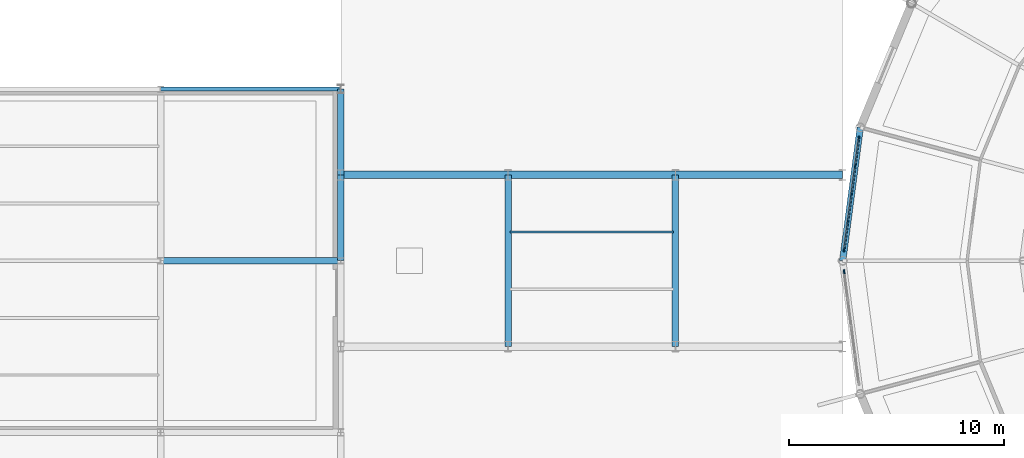
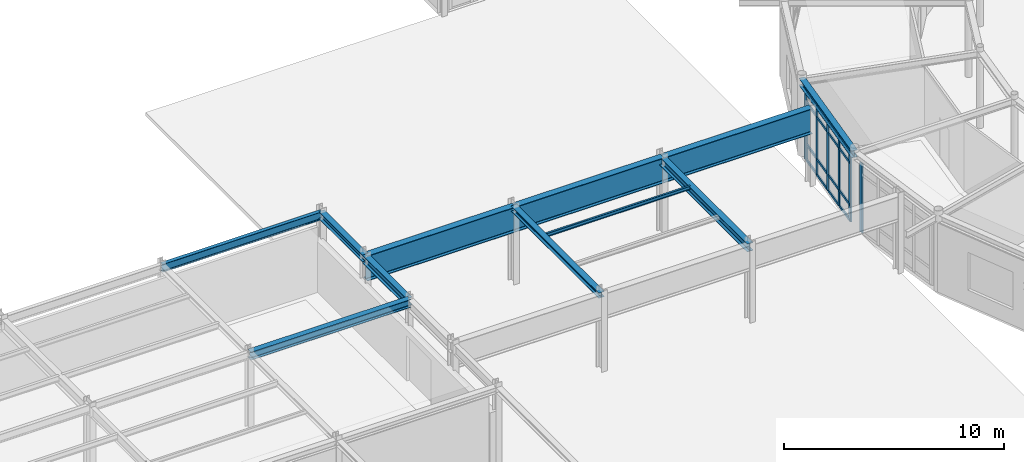
# One storey, part 40 of 101: 22 members, 11 beams, 2 elements without a shape of their own.
"""IFC4 building model written with IfcOpenShell, lengths in metres."""

from ifc_helpers import new_model, si_unit, derived_unit, direction, frame, origin, origin_2d, place, context, subcontext, project, spatial, rectangle, i_section, extrude, material, layer, layer_set, material_profile, profile_set, type_object, element, aggregate, save


model = new_model("IFC4")

# Units and contexts
model_context = context("Model", 3, precision=1e-05, world=origin(), true_north=direction((0.0, 1.0)))
body_context = subcontext(model_context, "Body", "Model", "MODEL_VIEW")
ifc_project = project(units=[si_unit("LENGTHUNIT", "METRE"), si_unit("AREAUNIT", "SQUARE_METRE"), si_unit("VOLUMEUNIT", "CUBIC_METRE"), si_unit("PLANEANGLEUNIT", "RADIAN"), si_unit("MASSUNIT", "GRAM", prefix="KILO"), derived_unit("THERMALTRANSMITTANCEUNIT", [(si_unit("POWERUNIT", "WATT"), 1), (si_unit("AREAUNIT", "SQUARE_METRE"), -1), (si_unit("THERMODYNAMICTEMPERATUREUNIT", "KELVIN"), -1)])], contexts=[model_context])

# Site, building, storey
site_placement = place(None, origin())
site = spatial("IfcSite", under=ifc_project, at=site_placement, CompositionType="ELEMENT")
building_placement = place(site_placement, origin())
building = spatial("IfcBuilding", under=site, at=building_placement, Name="Yasenodar Specialist Clinic", CompositionType="ELEMENT")
storey_placement = place(building_placement, origin())
storey = spatial("IfcBuildingStorey", under=building, at=storey_placement, Name="L00", CompositionType="ELEMENT", Elevation=0.0)

# Beams
ifc_material_1 = material(Name="Steel S355", Category="steel")
ifc_material_profile_1 = material_profile(ifc_material_1, i_section(OverallWidth=0.300048828125, OverallDepth=0.2900390625, WebThickness=0.008544921875, FlangeThickness=0.013916015625, FilletRadius=0.027099609375, at=origin_2d()), Name="HEA 300")
ifc_profile_set_1 = profile_set([ifc_material_profile_1], Name="Steel S355")
beam_type_1 = type_object("IfcBeamType", Name="BM-HEA300", PredefinedType="BEAM", material=ifc_profile_set_1)
beam_1_placement = place(storey_placement, frame((41.39990234375, 54.800048828125, 4.10498046875), z_axis=(0.0, 1.0, 0.0), x_axis=(-1.0, 0.0, 0.0)))
element("IfcBeam", 1, at=beam_1_placement, inside=storey, type_object=beam_type_1, Name="L00 Primary N-S Girder", PredefinedType="BEAM", context=body_context, shape_type="SweptSolid", body=[
    extrude(i_section(OverallWidth=0.300048828125, OverallDepth=0.2900390625, WebThickness=0.008544921875, FlangeThickness=0.013916015625, FilletRadius=0.027099609375, at=origin_2d()), origin(), (0.0, 0.0, 1.0), 8.0),
])
ifc_material_profile_2 = material_profile(ifc_material_1, i_section(OverallWidth=0.300048828125, OverallDepth=0.389892578125, WebThickness=0.010986328125, FlangeThickness=0.01904296875, FilletRadius=0.027099609375, at=origin_2d()), Name="HEA 400")
ifc_profile_set_2 = profile_set([ifc_material_profile_2], Name="Steel S355")
beam_type_2 = type_object("IfcBeamType", Name="BM-HEA400", PredefinedType="BEAM", material=ifc_profile_set_2)
beam_2_placement = place(storey_placement, frame((57.81787109375, 65.01171875, 4.054931640625), z_axis=(-0.130540192224, -0.991443018138, 0.0), x_axis=(0.991443018138, -0.130540192224, 0.0)))
element("IfcBeam", 2, at=beam_2_placement, inside=storey, type_object=beam_type_2, Name="L00 Drum V1 Perimeter Ring Beam", PredefinedType="BEAM", context=body_context, shape_type="SweptSolid", body=[
    extrude(i_section(OverallWidth=0.300048828125, OverallDepth=0.389892578125, WebThickness=0.010986328125, FlangeThickness=0.01904296875, FilletRadius=0.027099609375, at=origin_2d()), origin(), (0.0, 0.0, 1.0), 6.265380859375),
])
ifc_material_profile_3 = material_profile(ifc_material_1, i_section(OverallWidth=0.300048828125, OverallDepth=0.43994140625, WebThickness=0.011474609375, FlangeThickness=0.02099609375, FilletRadius=0.027099609375, at=origin_2d()), Name="HEA 450")
ifc_profile_set_3 = profile_set([ifc_material_profile_3], Name="Steel S355")
beam_type_3 = type_object("IfcBeamType", Name="BM-HEA450", PredefinedType="BEAM", material=ifc_profile_set_3)
beam_3_placement = place(storey_placement, frame((25.199951171875, 58.800048828125, 4.030029296875), z_axis=(1.0, 0.0, 0.0), x_axis=(0.0, 1.0, 0.0)))
element("IfcBeam", 3, at=beam_3_placement, inside=storey, type_object=beam_type_3, Name="L00 Primary E-W Girder", PredefinedType="BEAM", context=body_context, shape_type="SweptSolid", body=[
    extrude(i_section(OverallWidth=0.300048828125, OverallDepth=0.43994140625, WebThickness=0.011474609375, FlangeThickness=0.02099609375, FilletRadius=0.027099609375, at=origin_2d()), origin(), (0.0, 0.0, 1.0), 8.400146484375),
])
ifc_material_profile_4 = material_profile(ifc_material_1, i_section(OverallWidth=0.300048828125, OverallDepth=0.39990234375, WebThickness=0.013427734375, FlangeThickness=0.02392578125, FilletRadius=0.027099609375, at=origin_2d()), Name="HEB 400")
ifc_profile_set_4 = profile_set([ifc_material_profile_4], Name="Steel S355")
beam_type_4 = type_object("IfcBeamType", Name="BM-HEB400", PredefinedType="BEAM", material=ifc_profile_set_4)
beam_4_placement = place(storey_placement, frame((33.60009765625, 62.800048828125, 4.050048828125), z_axis=(0.0, 1.0, 0.0), x_axis=(-1.0, 0.0, 0.0)))
element("IfcBeam", 4, at=beam_4_placement, inside=storey, type_object=beam_type_4, Name="L00 Primary N-S Girder", PredefinedType="BEAM", context=body_context, shape_type="SweptSolid", body=[
    extrude(i_section(OverallWidth=0.300048828125, OverallDepth=0.39990234375, WebThickness=0.013427734375, FlangeThickness=0.02392578125, FilletRadius=0.027099609375, at=origin_2d()), origin(), (0.0, 0.0, 1.0), 4.0),
])
ifc_material_profile_5 = material_profile(ifc_material_1, i_section(OverallWidth=0.300048828125, OverallDepth=0.449951171875, WebThickness=0.013916015625, FlangeThickness=0.02587890625, FilletRadius=0.027099609375, at=origin_2d()), Name="HEB 450")
ifc_profile_set_5 = profile_set([ifc_material_profile_5], Name="Steel S355")
beam_type_5 = type_object("IfcBeamType", Name="BM-HEB450", PredefinedType="BEAM", material=ifc_profile_set_5)
beam_5_placement = place(storey_placement, frame((33.60009765625, 58.800048828125, 4.02490234375), z_axis=(0.0, 1.0, 0.0), x_axis=(-1.0, 0.0, 0.0)))
element("IfcBeam", 5, at=beam_5_placement, inside=storey, type_object=beam_type_5, Name="L00 Primary N-S Girder", PredefinedType="BEAM", context=body_context, shape_type="SweptSolid", body=[
    extrude(i_section(OverallWidth=0.300048828125, OverallDepth=0.449951171875, WebThickness=0.013916015625, FlangeThickness=0.02587890625, FilletRadius=0.027099609375, at=origin_2d()), origin(), (0.0, 0.0, 1.0), 4.0),
])
beam_6_placement = place(storey_placement, frame((49.199951171875, 54.800048828125, 4.02490234375), z_axis=(0.0, 1.0, 0.0), x_axis=(-1.0, 0.0, 0.0)))
element("IfcBeam", 6, at=beam_6_placement, inside=storey, type_object=beam_type_5, Name="L00 Primary N-S Girder", PredefinedType="BEAM", context=body_context, shape_type="SweptSolid", body=[
    extrude(i_section(OverallWidth=0.300048828125, OverallDepth=0.449951171875, WebThickness=0.013916015625, FlangeThickness=0.02587890625, FilletRadius=0.027099609375, at=origin_2d()), origin(), (0.0, 0.0, 1.0), 8.0),
])
ifc_material_profile_6 = material_profile(ifc_material_1, i_section(OverallWidth=0.18994140625, OverallDepth=0.449951171875, WebThickness=0.009521484375, FlangeThickness=0.0146484375, FilletRadius=0.02099609375, at=origin_2d()), Name="IPE 450")
ifc_profile_set_6 = profile_set([ifc_material_profile_6], Name="Steel S355")
beam_type_6 = type_object("IfcBeamType", Name="BM-IPE450", PredefinedType="BEAM", material=ifc_profile_set_6)
beam_7_placement = place(storey_placement, frame((25.199951171875, 66.800048828125, 4.02490234375), z_axis=(1.0, 0.0, 0.0), x_axis=(0.0, 1.0, 0.0)))
element("IfcBeam", 7, at=beam_7_placement, inside=storey, type_object=beam_type_6, Name="L00 Primary E-W Girder", PredefinedType="BEAM", context=body_context, shape_type="SweptSolid", body=[
    extrude(i_section(OverallWidth=0.18994140625, OverallDepth=0.449951171875, WebThickness=0.009521484375, FlangeThickness=0.0146484375, FilletRadius=0.02099609375, at=origin_2d()), origin(), (0.0, 0.0, 1.0), 8.400146484375),
])
ifc_material_profile_7 = material_profile(ifc_material_1, i_section(OverallWidth=0.35009765625, OverallDepth=1.39990234375, WebThickness=0.01611328125, FlangeThickness=0.028076171875, FilletRadius=0.02392578125, at=origin_2d()), Name="PG 1400x350")
ifc_profile_set_7 = profile_set([ifc_material_profile_7], Name="Steel S355")
beam_type_7 = type_object("IfcBeamType", Name="BM-PG-1400", PredefinedType="BEAM", material=ifc_profile_set_7)
beam_8_placement = place(storey_placement, frame((33.60009765625, 62.800048828125, 3.550048828125), z_axis=(1.0, 0.0, 0.0), x_axis=(0.0, 1.0, 0.0)))
element("IfcBeam", 8, at=beam_8_placement, inside=storey, type_object=beam_type_7, Name="L00 Light Bridge Plate Girder", PredefinedType="BEAM", context=body_context, shape_type="SweptSolid", body=[
    extrude(i_section(OverallWidth=0.35009765625, OverallDepth=1.39990234375, WebThickness=0.01611328125, FlangeThickness=0.028076171875, FilletRadius=0.02392578125, at=origin_2d()), origin(), (0.0, 0.0, 1.0), 7.7998046875),
])
for number, where, z_axis, x_axis, name in (
    (9, (41.39990234375, 62.800048828125, 3.550048828125), (1.0, 0.0, 0.0), (0.0, 1.0, 0.0), "L00 Light Bridge Plate Girder"),
    (10, (49.199951171875, 62.800048828125, 3.550048828125), (1.0, 0.0, 0.0), (0.0, 1.0, 0.0), "L00 Light Bridge Plate Girder"),
):
    element("IfcBeam", number, at=place(storey_placement, frame(where, z_axis=z_axis, x_axis=x_axis)), inside=storey, type_object=beam_type_7, Name=name, PredefinedType="BEAM", context=body_context, shape_type="SweptSolid", body=[
        extrude(i_section(OverallWidth=0.35009765625, OverallDepth=1.39990234375, WebThickness=0.01611328125, FlangeThickness=0.028076171875, FilletRadius=0.02392578125, at=origin_2d()), origin(), (0.0, 0.0, 1.0), 7.800048828125),
    ])

# Curtain wall, members
ifc_material_2 = material(Name="Bronze Anodized Aluminium and Triple Low-E Glass", Category="aluminium")
ifc_layer = layer(ifc_material_2, 0.1669921875)
ifc_layer_set = layer_set([ifc_layer], Name="Bronze Anodized Aluminium and Triple Low-E Glass")
curtain_wall_type = type_object("IfcCurtainWallType", Name="CW-SYS-01", PredefinedType="USERDEFINED", material=ifc_layer_set)
curtain_wall_1_placement = place(storey_placement, origin())
curtain_wall_1 = element("IfcCurtainWall", 11, at=curtain_wall_1_placement, inside=storey, type_object=curtain_wall_type, Name="L00 Unitised Curtain Wall 006", ObjectType="UNITISED CURTAIN WALL", PredefinedType="USERDEFINED")
ifc_material_3 = material(Name="Bronze Anodized Aluminium", Category="aluminium")
ifc_material_profile_8 = material_profile(ifc_material_3, rectangle(XDim=0.070068359375, YDim=0.199951171875, at=origin_2d()), Name="CW-MULL 70x200")
ifc_profile_set_8 = profile_set([ifc_material_profile_8], Name="Bronze Anodized Aluminium")
member_type_1 = type_object("IfcMemberType", Name="CW-MULL-200", PredefinedType="MULLION", material=ifc_profile_set_8)
member_1_placement = place(storey_placement, frame((57.0673828125, 59.310546875, 0.0), z_axis=(0.0, 0.0, 1.0), x_axis=(-0.991446787601, 0.13051156024, 0.0)))
member_1 = element("IfcMember", 12, at=member_1_placement, type_object=member_type_1, Name="CW-01 mullion 1", PredefinedType="MULLION", context=body_context, shape_type="SweptSolid", body=[
    extrude(rectangle(XDim=0.070068359375, YDim=0.199951171875, at=origin_2d()), origin(), (0.0, 0.0, 1.0), 3.837890625),
])
member_2_placement = place(storey_placement, frame((57.23583984375, 60.5908203125, 0.0), z_axis=(0.0, 0.0, 1.0), x_axis=(-0.991446787601, 0.13051156024, 0.0)))
member_2 = element("IfcMember", 13, at=member_2_placement, type_object=member_type_1, Name="CW-01 mullion 2", PredefinedType="MULLION", context=body_context, shape_type="SweptSolid", body=[
    extrude(rectangle(XDim=0.070068359375, YDim=0.199951171875, at=origin_2d()), origin(), (0.0, 0.0, 1.0), 3.837890625),
])
member_3_placement = place(storey_placement, frame((57.408935546875, 61.90576171875, 0.0), z_axis=(0.0, 0.0, 1.0), x_axis=(-0.991446787601, 0.13051156024, 0.0)))
member_3 = element("IfcMember", 14, at=member_3_placement, type_object=member_type_1, Name="CW-01 mullion 3", PredefinedType="MULLION", context=body_context, shape_type="SweptSolid", body=[
    extrude(rectangle(XDim=0.070068359375, YDim=0.199951171875, at=origin_2d()), origin(), (0.0, 0.0, 1.0), 3.837890625),
])
member_4_placement = place(storey_placement, frame((57.58203125, 63.220703125, 0.0), z_axis=(0.0, 0.0, 1.0), x_axis=(-0.991446787601, 0.13051156024, 0.0)))
member_4 = element("IfcMember", 15, at=member_4_placement, type_object=member_type_1, Name="CW-01 mullion 4", PredefinedType="MULLION", context=body_context, shape_type="SweptSolid", body=[
    extrude(rectangle(XDim=0.070068359375, YDim=0.199951171875, at=origin_2d()), origin(), (0.0, 0.0, 1.0), 3.837890625),
])
member_5_placement = place(storey_placement, frame((57.75048828125, 64.501220703125, 0.0), z_axis=(0.0, 0.0, 1.0), x_axis=(-0.991446787601, 0.13051156024, 0.0)))
member_5 = element("IfcMember", 16, at=member_5_placement, type_object=member_type_1, Name="CW-01 mullion 5", PredefinedType="MULLION", context=body_context, shape_type="SweptSolid", body=[
    extrude(rectangle(XDim=0.070068359375, YDim=0.199951171875, at=origin_2d()), origin(), (0.0, 0.0, 1.0), 3.837890625),
])

# Curtain wall, member
curtain_wall_2_placement = place(storey_placement, origin())
curtain_wall_2 = element("IfcCurtainWall", 17, at=curtain_wall_2_placement, inside=storey, type_object=curtain_wall_type, Name="L00 Unitised Curtain Wall 007", ObjectType="UNITISED CURTAIN WALL", PredefinedType="USERDEFINED")
member_6_placement = place(storey_placement, frame((57.0673828125, 58.289306640625, 0.0), z_axis=(0.0, 0.0, 1.0), x_axis=(-0.991446787601, -0.13051156024, 0.0)))
member_6 = element("IfcMember", 18, at=member_6_placement, type_object=member_type_1, Name="CW-01 mullion 5", PredefinedType="MULLION", context=body_context, shape_type="SweptSolid", body=[
    extrude(rectangle(XDim=0.070068359375, YDim=0.199951171875, at=origin_2d()), origin(), (0.0, 0.0, 1.0), 3.837890625),
])
aggregate(curtain_wall_2, [member_6])

# Member
ifc_material_profile_9 = material_profile(ifc_material_3, rectangle(XDim=0.070068359375, YDim=0.14990234375, at=origin_2d()), Name="CW-TRAN 70x150")
ifc_profile_set_9 = profile_set([ifc_material_profile_9], Name="Bronze Anodized Aluminium")
member_type_2 = type_object("IfcMemberType", Name="CW-TRAN-150", PredefinedType="USERDEFINED", material=ifc_profile_set_9)
member_7_placement = place(storey_placement, frame((57.07177734375, 59.34521484375, 0.034912109375), z_axis=(0.130526901908, 0.991444767941, 0.0), x_axis=(-0.991444767941, 0.130526901908, 0.0)))
member_7 = element("IfcMember", 19, at=member_7_placement, type_object=member_type_2, Name="CW-01 transom 1.1", ObjectType="TRANSOM", PredefinedType="USERDEFINED", context=body_context, shape_type="SweptSolid", body=[
    extrude(rectangle(XDim=0.070068359375, YDim=0.14990234375, at=origin_2d()), origin(), (0.0, 0.0, 1.0), 1.221435546875),
])

member_8_placement = place(storey_placement, frame((57.07177734375, 59.34521484375, 0.89990234375), z_axis=(0.130526901908, 0.991444767941, 0.0), x_axis=(-0.991444767941, 0.130526901908, 0.0)))
member_8 = element("IfcMember", 20, at=member_8_placement, type_object=member_type_2, Name="CW-01 transom 1.2", ObjectType="TRANSOM", PredefinedType="USERDEFINED", context=body_context, shape_type="SweptSolid", body=[
    extrude(rectangle(XDim=0.070068359375, YDim=0.14990234375, at=origin_2d()), origin(), (0.0, 0.0, 1.0), 1.221435546875),
])

member_9_placement = place(storey_placement, frame((57.07177734375, 59.34521484375, 3.238037109375), z_axis=(0.130526901908, 0.991444767941, 0.0), x_axis=(-0.991444767941, 0.130526901908, 0.0)))
member_9 = element("IfcMember", 21, at=member_9_placement, type_object=member_type_2, Name="CW-01 transom 1.3", ObjectType="TRANSOM", PredefinedType="USERDEFINED", context=body_context, shape_type="SweptSolid", body=[
    extrude(rectangle(XDim=0.070068359375, YDim=0.14990234375, at=origin_2d()), origin(), (0.0, 0.0, 1.0), 1.221435546875),
])

member_10_placement = place(storey_placement, frame((57.07177734375, 59.34521484375, 3.802978515625), z_axis=(0.130526901908, 0.991444767941, 0.0), x_axis=(-0.991444767941, 0.130526901908, 0.0)))
member_10 = element("IfcMember", 22, at=member_10_placement, type_object=member_type_2, Name="CW-01 transom 1.4", ObjectType="TRANSOM", PredefinedType="USERDEFINED", context=body_context, shape_type="SweptSolid", body=[
    extrude(rectangle(XDim=0.070068359375, YDim=0.14990234375, at=origin_2d()), origin(), (0.0, 0.0, 1.0), 1.221435546875),
])

member_11_placement = place(storey_placement, frame((57.240478515625, 60.62548828125, 0.034912109375), z_axis=(0.130394189908, 0.991462230868, 0.0), x_axis=(-0.991462230868, 0.130394189908, 0.0)))
member_11 = element("IfcMember", 23, at=member_11_placement, type_object=member_type_2, Name="CW-01 transom 2.1", ObjectType="TRANSOM", PredefinedType="USERDEFINED", context=body_context, shape_type="SweptSolid", body=[
    extrude(rectangle(XDim=0.070068359375, YDim=0.14990234375, at=origin_2d()), origin(), (0.0, 0.0, 1.0), 1.25634765625),
])

member_12_placement = place(storey_placement, frame((57.240478515625, 60.62548828125, 0.89990234375), z_axis=(0.130394189908, 0.991462230868, 0.0), x_axis=(-0.991462230868, 0.130394189908, 0.0)))
member_12 = element("IfcMember", 24, at=member_12_placement, type_object=member_type_2, Name="CW-01 transom 2.2", ObjectType="TRANSOM", PredefinedType="USERDEFINED", context=body_context, shape_type="SweptSolid", body=[
    extrude(rectangle(XDim=0.070068359375, YDim=0.14990234375, at=origin_2d()), origin(), (0.0, 0.0, 1.0), 1.25634765625),
])

member_13_placement = place(storey_placement, frame((57.240478515625, 60.62548828125, 3.238037109375), z_axis=(0.130394189908, 0.991462230868, 0.0), x_axis=(-0.991462230868, 0.130394189908, 0.0)))
member_13 = element("IfcMember", 25, at=member_13_placement, type_object=member_type_2, Name="CW-01 transom 2.3", ObjectType="TRANSOM", PredefinedType="USERDEFINED", context=body_context, shape_type="SweptSolid", body=[
    extrude(rectangle(XDim=0.070068359375, YDim=0.14990234375, at=origin_2d()), origin(), (0.0, 0.0, 1.0), 1.25634765625),
])

member_14_placement = place(storey_placement, frame((57.240478515625, 60.62548828125, 3.802978515625), z_axis=(0.130394189908, 0.991462230868, 0.0), x_axis=(-0.991462230868, 0.130394189908, 0.0)))
member_14 = element("IfcMember", 26, at=member_14_placement, type_object=member_type_2, Name="CW-01 transom 2.4", ObjectType="TRANSOM", PredefinedType="USERDEFINED", context=body_context, shape_type="SweptSolid", body=[
    extrude(rectangle(XDim=0.070068359375, YDim=0.14990234375, at=origin_2d()), origin(), (0.0, 0.0, 1.0), 1.25634765625),
])

member_15_placement = place(storey_placement, frame((57.41357421875, 61.9404296875, 0.034912109375), z_axis=(0.130394189908, 0.991462230868, 0.0), x_axis=(-0.991462230868, 0.130394189908, 0.0)))
member_15 = element("IfcMember", 27, at=member_15_placement, type_object=member_type_2, Name="CW-01 transom 3.1", ObjectType="TRANSOM", PredefinedType="USERDEFINED", context=body_context, shape_type="SweptSolid", body=[
    extrude(rectangle(XDim=0.070068359375, YDim=0.14990234375, at=origin_2d()), origin(), (0.0, 0.0, 1.0), 1.25634765625),
])

member_16_placement = place(storey_placement, frame((57.41357421875, 61.9404296875, 0.89990234375), z_axis=(0.130394189908, 0.991462230868, 0.0), x_axis=(-0.991462230868, 0.130394189908, 0.0)))
member_16 = element("IfcMember", 28, at=member_16_placement, type_object=member_type_2, Name="CW-01 transom 3.2", ObjectType="TRANSOM", PredefinedType="USERDEFINED", context=body_context, shape_type="SweptSolid", body=[
    extrude(rectangle(XDim=0.070068359375, YDim=0.14990234375, at=origin_2d()), origin(), (0.0, 0.0, 1.0), 1.25634765625),
])

member_17_placement = place(storey_placement, frame((57.41357421875, 61.9404296875, 3.238037109375), z_axis=(0.130394189908, 0.991462230868, 0.0), x_axis=(-0.991462230868, 0.130394189908, 0.0)))
member_17 = element("IfcMember", 29, at=member_17_placement, type_object=member_type_2, Name="CW-01 transom 3.3", ObjectType="TRANSOM", PredefinedType="USERDEFINED", context=body_context, shape_type="SweptSolid", body=[
    extrude(rectangle(XDim=0.070068359375, YDim=0.14990234375, at=origin_2d()), origin(), (0.0, 0.0, 1.0), 1.25634765625),
])

member_18_placement = place(storey_placement, frame((57.41357421875, 61.9404296875, 3.802978515625), z_axis=(0.130394189908, 0.991462230868, 0.0), x_axis=(-0.991462230868, 0.130394189908, 0.0)))
member_18 = element("IfcMember", 30, at=member_18_placement, type_object=member_type_2, Name="CW-01 transom 3.4", ObjectType="TRANSOM", PredefinedType="USERDEFINED", context=body_context, shape_type="SweptSolid", body=[
    extrude(rectangle(XDim=0.070068359375, YDim=0.14990234375, at=origin_2d()), origin(), (0.0, 0.0, 1.0), 1.25634765625),
])

member_19_placement = place(storey_placement, frame((57.586669921875, 63.255615234375, 0.034912109375), z_axis=(0.130356246751, 0.991467220302, 0.0), x_axis=(-0.991467220302, 0.130356246751, 0.0)))
member_19 = element("IfcMember", 31, at=member_19_placement, type_object=member_type_2, Name="CW-01 transom 4.1", ObjectType="TRANSOM", PredefinedType="USERDEFINED", context=body_context, shape_type="SweptSolid", body=[
    extrude(rectangle(XDim=0.070068359375, YDim=0.14990234375, at=origin_2d()), origin(), (0.0, 0.0, 1.0), 1.22119140625),
])

member_20_placement = place(storey_placement, frame((57.586669921875, 63.255615234375, 0.89990234375), z_axis=(0.130356246751, 0.991467220302, 0.0), x_axis=(-0.991467220302, 0.130356246751, 0.0)))
member_20 = element("IfcMember", 32, at=member_20_placement, type_object=member_type_2, Name="CW-01 transom 4.2", ObjectType="TRANSOM", PredefinedType="USERDEFINED", context=body_context, shape_type="SweptSolid", body=[
    extrude(rectangle(XDim=0.070068359375, YDim=0.14990234375, at=origin_2d()), origin(), (0.0, 0.0, 1.0), 1.22119140625),
])

member_21_placement = place(storey_placement, frame((57.586669921875, 63.255615234375, 3.238037109375), z_axis=(0.130356246751, 0.991467220302, 0.0), x_axis=(-0.991467220302, 0.130356246751, 0.0)))
member_21 = element("IfcMember", 33, at=member_21_placement, type_object=member_type_2, Name="CW-01 transom 4.3", ObjectType="TRANSOM", PredefinedType="USERDEFINED", context=body_context, shape_type="SweptSolid", body=[
    extrude(rectangle(XDim=0.070068359375, YDim=0.14990234375, at=origin_2d()), origin(), (0.0, 0.0, 1.0), 1.22119140625),
])

member_22_placement = place(storey_placement, frame((57.586669921875, 63.255615234375, 3.802978515625), z_axis=(0.130356246751, 0.991467220302, 0.0), x_axis=(-0.991467220302, 0.130356246751, 0.0)))
member_22 = element("IfcMember", 34, at=member_22_placement, type_object=member_type_2, Name="CW-01 transom 4.4", ObjectType="TRANSOM", PredefinedType="USERDEFINED", context=body_context, shape_type="SweptSolid", body=[
    extrude(rectangle(XDim=0.070068359375, YDim=0.14990234375, at=origin_2d()), origin(), (0.0, 0.0, 1.0), 1.22119140625),
])

aggregate(curtain_wall_1, [member_1, member_2, member_3, member_4, member_5, member_7, member_8, member_9, member_10, member_11, member_12, member_13, member_14, member_15, member_16, member_17, member_18, member_19, member_20, member_21, member_22])

# Beam
ifc_material_profile_10 = material_profile(ifc_material_1, i_section(OverallWidth=0.10009765625, OverallDepth=0.199951171875, WebThickness=0.005615234375, FlangeThickness=0.008544921875, FilletRadius=0.011962890625, at=origin_2d()), Name="IPE 200")
ifc_profile_set_10 = profile_set([ifc_material_profile_10], Name="Steel S355")
beam_type_8 = type_object("IfcBeamType", Name="JS-IPE200", PredefinedType="JOIST", material=ifc_profile_set_10)
beam_9_placement = place(storey_placement, frame((41.47998046875, 60.13330078125, 4.14990234375), z_axis=(1.0, 0.0, 0.0), x_axis=(0.0, 1.0, 0.0)))
element("IfcBeam", 35, at=beam_9_placement, inside=storey, type_object=beam_type_8, Name="L00 Composite Floor Joist", PredefinedType="JOIST", context=body_context, shape_type="SweptSolid", body=[
    extrude(i_section(OverallWidth=0.10009765625, OverallDepth=0.199951171875, WebThickness=0.005615234375, FlangeThickness=0.008544921875, FilletRadius=0.011962890625, at=origin_2d()), origin(), (0.0, 0.0, 1.0), 7.64013671875),
])

save(model, "model.ifc")
